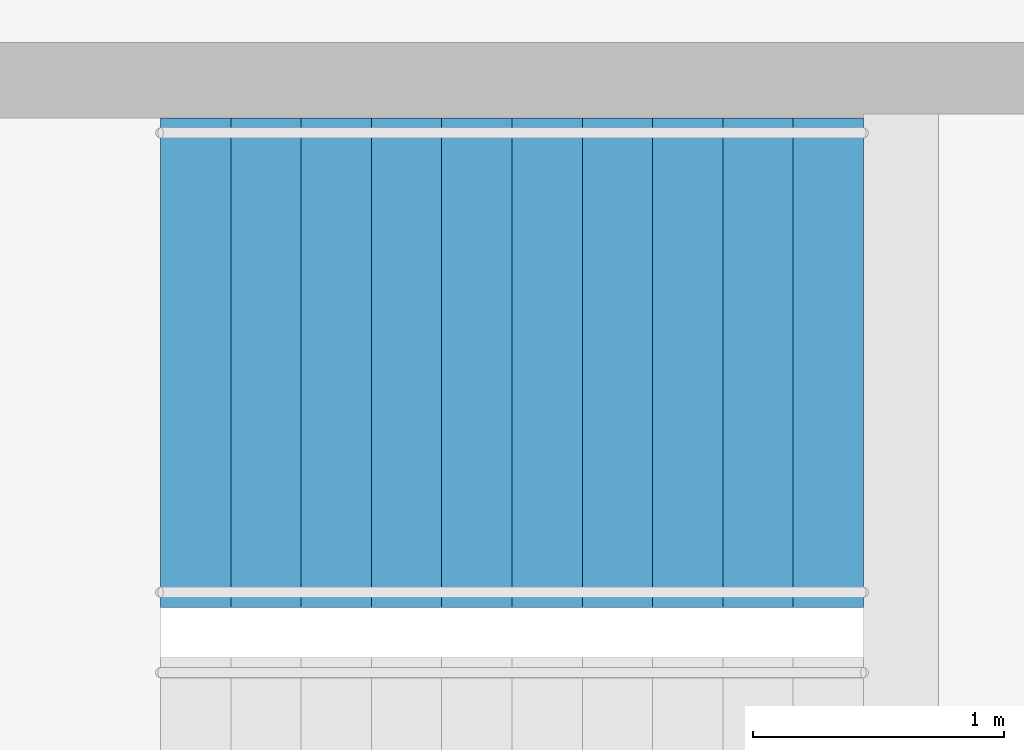
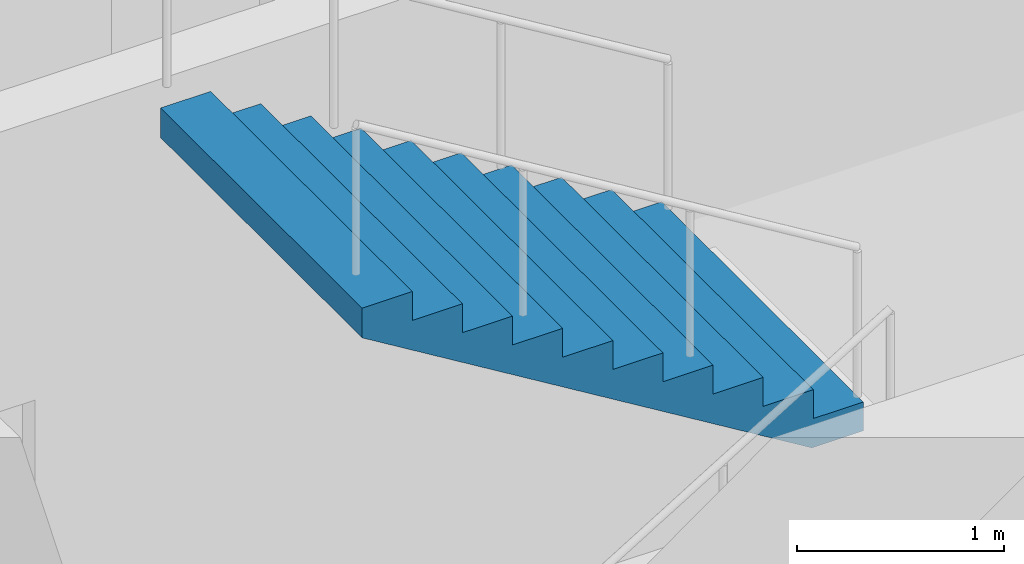
# One storey, part 23 of 28: 1 stair flight, 1 element without a shape of its own.
"""IFC4 building model written with IfcOpenShell, lengths in metres."""

from ifc_helpers import new_model, si_unit, direction, frame, origin, place, context, subcontext, project, spatial, triangles, material, type_object, element, aggregate, save


model = new_model("IFC4")

# Units and contexts
model_context = context("Model", 3, precision=1e-05, world=origin(), true_north=direction((0.0, 1.0)))
body_context = subcontext(model_context, "Body", "Model", "MODEL_VIEW")
ifc_project = project(units=[si_unit("LENGTHUNIT", "METRE"), si_unit("AREAUNIT", "SQUARE_METRE"), si_unit("VOLUMEUNIT", "CUBIC_METRE"), si_unit("PLANEANGLEUNIT", "RADIAN"), si_unit("MASSUNIT", "GRAM", prefix="KILO")], contexts=[model_context])

# Site, building, storey
site_placement = place(None, origin())
site = spatial("IfcSite", under=ifc_project, at=site_placement, CompositionType="ELEMENT")
building_placement = place(site_placement, origin())
building = spatial("IfcBuilding", under=site, at=building_placement, Name="Orbita Commons", CompositionType="ELEMENT")
storey_placement = place(building_placement, frame((0.0, 0.0, 216.550048828125)))
storey = spatial("IfcBuildingStorey", under=building, at=storey_placement, Name="L53", CompositionType="ELEMENT", Elevation=216.550048828125)

# Stair, stair flight
ifc_material_1 = material(Name="Precast concrete C40/50", Category="concrete")
stair_type = type_object("IfcStairType", Name="Exit stair S1 2 flights 11 risers 170", PredefinedType="HALF_TURN_STAIR", material=ifc_material_1)
stair_placement = place(storey_placement, origin())
stair = element("IfcStair", 1, at=stair_placement, inside=storey, type_object=stair_type, Name="Exit stair S1 L53", PredefinedType="HALF_TURN_STAIR")
ifc_material_2 = material(Name="Precast concrete C40/50", Category="concrete")
stair_flight_type = type_object("IfcStairFlightType", Name="Stair flight 11 risers 170 x 280", PredefinedType="STRAIGHT", material=ifc_material_2)
stair_flight_placement = place(storey_placement, frame((23.25, 29.27490234375, 1.875), z_axis=(0.0, 0.0, 1.0), x_axis=(-1.0, 0.0, 0.0)))
stair_flight = element("IfcStairFlight", 2, at=stair_flight_placement, type_object=stair_flight_type, Name="S1 flight 2", NumberOfRisers=11, NumberOfTreads=10, PredefinedType="STRAIGHT", RiserHeight=0.170454545, TreadLength=0.28, context=body_context, shape_type="Tessellation", body=[
    triangles([(0.0, 0.974976, 0.0), (0.0, 0.974976, 0.021307), (0.0, 0.81248, 0.021307), (0.0, 0.81248, 0.0), (0.0, 0.649984, 0.021307), (0.0, 0.649984, 0.0), (0.0, 0.487488, 0.021307), (0.0, 0.487488, 0.0), (0.0, 0.324992, 0.021307), (0.0, 0.324992, 0.0), (0.0, 0.162496, 0.021307), (0.0, 0.162496, 0.0), (0.0, 0.0, 0.021307), (0.0, 0.0, 0.0), (0.0, -0.162496, 0.021307), (0.0, -0.162496, 0.0), (0.0, -0.324992, 0.021307), (0.0, -0.324992, 0.0), (0.0, -0.487488, 0.021307), (0.0, -0.487488, 0.0), (0.0, -0.649984, 0.021307), (0.0, -0.649984, 0.0), (0.0, -0.81248, 0.021307), (0.0, -0.81248, 0.0), (0.0, -0.974976, 0.021307), (0.0, -0.974976, 0.0), (0.0, 0.974976, 0.042614), (0.0, 0.81248, 0.042614), (0.0, 0.649984, 0.042614), (0.0, 0.487488, 0.042614), (0.0, 0.324992, 0.042614), (0.0, 0.162496, 0.042614), (0.0, 0.0, 0.042614), (0.0, -0.162496, 0.042614), (0.0, -0.324992, 0.042614), (0.0, -0.487488, 0.042614), (0.0, -0.649984, 0.042614), (0.0, -0.81248, 0.042614), (0.0, -0.974976, 0.042614), (0.0, 0.974976, 0.06392), (0.0, 0.81248, 0.06392), (0.0, 0.649984, 0.06392), (0.0, 0.487488, 0.06392), (0.0, 0.324992, 0.06392), (0.0, 0.162496, 0.06392), (0.0, 0.0, 0.06392), (0.0, -0.162496, 0.06392), (0.0, -0.324992, 0.06392), (0.0, -0.487488, 0.06392), (0.0, -0.649984, 0.06392), (0.0, -0.81248, 0.06392), (0.0, -0.974976, 0.06392), (0.0, 0.974976, 0.085227), (0.0, 0.81248, 0.085227), (0.0, 0.649984, 0.085227), (0.0, 0.487488, 0.085227), (0.0, 0.324992, 0.085227), (0.0, 0.162496, 0.085227), (0.0, 0.0, 0.085227), (0.0, -0.162496, 0.085227), (0.0, -0.324992, 0.085227), (0.0, -0.487488, 0.085227), (0.0, -0.649984, 0.085227), (0.0, -0.81248, 0.085227), (0.0, -0.974976, 0.085227), (0.0, 0.974976, 0.106534), (0.0, 0.81248, 0.106534), (0.0, 0.649984, 0.106534), (0.0, 0.487488, 0.106534), (0.0, 0.324992, 0.106534), (0.0, 0.162496, 0.106534), (0.0, 0.0, 0.106534), (0.0, -0.162496, 0.106534), (0.0, -0.324992, 0.106534), (0.0, -0.487488, 0.106534), (0.0, -0.649984, 0.106534), (0.0, -0.81248, 0.106534), (0.0, -0.974976, 0.106534), (0.0, 0.974976, 0.127841), (0.0, 0.81248, 0.127841), (0.0, 0.649984, 0.127841), (0.0, 0.487488, 0.127841), (0.0, 0.324992, 0.127841), (0.0, 0.162496, 0.127841), (0.0, 0.0, 0.127841), (0.0, -0.162496, 0.127841), (0.0, -0.324992, 0.127841), (0.0, -0.487488, 0.127841), (0.0, -0.649984, 0.127841), (0.0, -0.81248, 0.127841), (0.0, -0.974976, 0.127841), (0.0, 0.974976, 0.149148), (0.0, 0.81248, 0.149148), (0.0, 0.649984, 0.149148), (0.0, 0.487488, 0.149148), (0.0, 0.324992, 0.149148), (0.0, 0.162496, 0.149148), (0.0, 0.0, 0.149148), (0.0, -0.162496, 0.149148), (0.0, -0.324992, 0.149148), (0.0, -0.487488, 0.149148), (0.0, -0.649984, 0.149148), (0.0, -0.81248, 0.149148), (0.0, -0.974976, 0.149148), (0.0, 0.974976, 0.170455), (0.0, 0.81248, 0.170455), (0.0, 0.649984, 0.170455), (0.0, 0.487488, 0.170455), (0.0, 0.324992, 0.170455), (0.0, 0.162496, 0.170455), (0.0, 0.0, 0.170455), (0.0, -0.162496, 0.170455), (0.0, -0.324992, 0.170455), (0.0, -0.487488, 0.170455), (0.0, -0.649984, 0.170455), (0.0, -0.81248, 0.170455), (0.0, -0.974976, 0.170455), (0.28, 0.974976, 0.170455), (0.28, 0.81248, 0.170455), (0.28, 0.649984, 0.170455), (0.28, 0.487488, 0.170455), (0.28, 0.324992, 0.170455), (0.28, 0.162496, 0.170455), (0.28, 0.0, 0.170455), (0.28, -0.162496, 0.170455), (0.28, -0.324992, 0.170455), (0.28, -0.487488, 0.170455), (0.28, -0.649984, 0.170455), (0.28, -0.81248, 0.170455), (0.28, -0.974976, 0.170455), (0.28, 0.974976, 0.340909), (0.28, 0.81248, 0.340909), (0.28, 0.649984, 0.340909), (0.28, 0.487488, 0.340909), (0.28, 0.324992, 0.340909), (0.28, 0.162496, 0.340909), (0.28, 0.0, 0.340909), (0.28, -0.162496, 0.340909), (0.28, -0.324992, 0.340909), (0.28, -0.487488, 0.340909), (0.28, -0.649984, 0.340909), (0.28, -0.81248, 0.340909), (0.28, -0.974976, 0.340909), (0.56, 0.974976, 0.340909), (0.56, 0.81248, 0.340909), (0.56, 0.649984, 0.340909), (0.56, 0.487488, 0.340909), (0.56, 0.324992, 0.340909), (0.56, 0.162496, 0.340909), (0.56, 0.0, 0.340909), (0.56, -0.162496, 0.340909), (0.56, -0.324992, 0.340909), (0.56, -0.487488, 0.340909), (0.56, -0.649984, 0.340909), (0.56, -0.81248, 0.340909), (0.56, -0.974976, 0.340909), (0.56, 0.974976, 0.511364), (0.56, 0.81248, 0.511364), (0.56, 0.649984, 0.511364), (0.56, 0.487488, 0.511364), (0.56, 0.324992, 0.511364), (0.56, 0.162496, 0.511364), (0.56, 0.0, 0.511364), (0.56, -0.162496, 0.511364), (0.56, -0.324992, 0.511364), (0.56, -0.487488, 0.511364), (0.56, -0.649984, 0.511364), (0.56, -0.81248, 0.511364), (0.56, -0.974976, 0.511364), (0.84, 0.974976, 0.511364), (0.84, 0.81248, 0.511364), (0.84, 0.649984, 0.511364), (0.84, 0.487488, 0.511364), (0.84, 0.324992, 0.511364), (0.84, 0.162496, 0.511364), (0.84, 0.0, 0.511364), (0.84, -0.162496, 0.511364), (0.84, -0.324992, 0.511364), (0.84, -0.487488, 0.511364), (0.84, -0.649984, 0.511364), (0.84, -0.81248, 0.511364), (0.84, -0.974976, 0.511364), (0.84, 0.974976, 0.681818), (0.84, 0.81248, 0.681818), (0.84, 0.649984, 0.681818), (0.84, 0.487488, 0.681818), (0.84, 0.324992, 0.681818), (0.84, 0.162496, 0.681818), (0.84, 0.0, 0.681818), (0.84, -0.162496, 0.681818), (0.84, -0.324992, 0.681818), (0.84, -0.487488, 0.681818), (0.84, -0.649984, 0.681818), (0.84, -0.81248, 0.681818), (0.84, -0.974976, 0.681818), (1.12, 0.974976, 0.681818), (1.12, 0.81248, 0.681818), (1.12, 0.649984, 0.681818), (1.12, 0.487488, 0.681818), (1.12, 0.324992, 0.681818), (1.12, 0.162496, 0.681818), (1.12, 0.0, 0.681818), (1.12, -0.162496, 0.681818), (1.12, -0.324992, 0.681818), (1.12, -0.487488, 0.681818), (1.12, -0.649984, 0.681818), (1.12, -0.81248, 0.681818), (1.12, -0.974976, 0.681818), (1.12, 0.974976, 0.852273), (1.12, 0.81248, 0.852273), (1.12, 0.649984, 0.852273), (1.12, 0.487488, 0.852273), (1.12, 0.324992, 0.852273), (1.12, 0.162496, 0.852273), (1.12, 0.0, 0.852273), (1.12, -0.162496, 0.852273), (1.12, -0.324992, 0.852273), (1.12, -0.487488, 0.852273), (1.12, -0.649984, 0.852273), (1.12, -0.81248, 0.852273), (1.12, -0.974976, 0.852273), (1.4, 0.974976, 0.852273), (1.4, 0.81248, 0.852273), (1.4, 0.649984, 0.852273), (1.4, 0.487488, 0.852273), (1.4, 0.324992, 0.852273), (1.4, 0.162496, 0.852273), (1.4, 0.0, 0.852273), (1.4, -0.162496, 0.852273), (1.4, -0.324992, 0.852273), (1.4, -0.487488, 0.852273), (1.4, -0.649984, 0.852273), (1.4, -0.81248, 0.852273), (1.4, -0.974976, 0.852273), (1.4, 0.974976, 1.022727), (1.4, 0.81248, 1.022727), (1.4, 0.649984, 1.022727), (1.4, 0.487488, 1.022727), (1.4, 0.324992, 1.022727), (1.4, 0.162496, 1.022727), (1.4, 0.0, 1.022727), (1.4, -0.162496, 1.022727), (1.4, -0.324992, 1.022727), (1.4, -0.487488, 1.022727), (1.4, -0.649984, 1.022727), (1.4, -0.81248, 1.022727), (1.4, -0.974976, 1.022727), (1.68, 0.974976, 1.022727), (1.68, 0.81248, 1.022727), (1.68, 0.649984, 1.022727), (1.68, 0.487488, 1.022727), (1.68, 0.324992, 1.022727), (1.68, 0.162496, 1.022727), (1.68, 0.0, 1.022727), (1.68, -0.162496, 1.022727), (1.68, -0.324992, 1.022727), (1.68, -0.487488, 1.022727), (1.68, -0.649984, 1.022727), (1.68, -0.81248, 1.022727), (1.68, -0.974976, 1.022727), (1.68, 0.974976, 1.193182), (1.68, 0.81248, 1.193182), (1.68, 0.649984, 1.193182), (1.68, 0.487488, 1.193182), (1.68, 0.324992, 1.193182), (1.68, 0.162496, 1.193182), (1.68, 0.0, 1.193182), (1.68, -0.162496, 1.193182), (1.68, -0.324992, 1.193182), (1.68, -0.487488, 1.193182), (1.68, -0.649984, 1.193182), (1.68, -0.81248, 1.193182), (1.68, -0.974976, 1.193182), (1.96, 0.974976, 1.193182), (1.96, 0.81248, 1.193182), (1.96, 0.649984, 1.193182), (1.96, 0.487488, 1.193182), (1.96, 0.324992, 1.193182), (1.96, 0.162496, 1.193182), (1.96, 0.0, 1.193182), (1.96, -0.162496, 1.193182), (1.96, -0.324992, 1.193182), (1.96, -0.487488, 1.193182), (1.96, -0.649984, 1.193182), (1.96, -0.81248, 1.193182), (1.96, -0.974976, 1.193182), (1.96, 0.974976, 1.363636), (1.96, 0.81248, 1.363636), (1.96, 0.649984, 1.363636), (1.96, 0.487488, 1.363636), (1.96, 0.324992, 1.363636), (1.96, 0.162496, 1.363636), (1.96, 0.0, 1.363636), (1.96, -0.162496, 1.363636), (1.96, -0.324992, 1.363636), (1.96, -0.487488, 1.363636), (1.96, -0.649984, 1.363636), (1.96, -0.81248, 1.363636), (1.96, -0.974976, 1.363636), (2.24, 0.974976, 1.363636), (2.24, 0.81248, 1.363636), (2.24, 0.649984, 1.363636), (2.24, 0.487488, 1.363636), (2.24, 0.324992, 1.363636), (2.24, 0.162496, 1.363636), (2.24, 0.0, 1.363636), (2.24, -0.162496, 1.363636), (2.24, -0.324992, 1.363636), (2.24, -0.487488, 1.363636), (2.24, -0.649984, 1.363636), (2.24, -0.81248, 1.363636), (2.24, -0.974976, 1.363636), (2.24, 0.974976, 1.534091), (2.24, 0.81248, 1.534091), (2.24, 0.649984, 1.534091), (2.24, 0.487488, 1.534091), (2.24, 0.324992, 1.534091), (2.24, 0.162496, 1.534091), (2.24, 0.0, 1.534091), (2.24, -0.162496, 1.534091), (2.24, -0.324992, 1.534091), (2.24, -0.487488, 1.534091), (2.24, -0.649984, 1.534091), (2.24, -0.81248, 1.534091), (2.24, -0.974976, 1.534091), (2.52, 0.974976, 1.534091), (2.52, 0.81248, 1.534091), (2.52, 0.649984, 1.534091), (2.52, 0.487488, 1.534091), (2.52, 0.324992, 1.534091), (2.52, 0.162496, 1.534091), (2.52, 0.0, 1.534091), (2.52, -0.162496, 1.534091), (2.52, -0.324992, 1.534091), (2.52, -0.487488, 1.534091), (2.52, -0.649984, 1.534091), (2.52, -0.81248, 1.534091), (2.52, -0.974976, 1.534091), (2.52, 0.974976, 1.704545), (2.52, 0.81248, 1.704545), (2.52, 0.649984, 1.704545), (2.52, 0.487488, 1.704545), (2.52, 0.324992, 1.704545), (2.52, 0.162496, 1.704545), (2.52, 0.0, 1.704545), (2.52, -0.162496, 1.704545), (2.52, -0.324992, 1.704545), (2.52, -0.487488, 1.704545), (2.52, -0.649984, 1.704545), (2.52, -0.81248, 1.704545), (2.52, -0.974976, 1.704545), (2.8, 0.974976, 1.704545), (2.8, 0.81248, 1.704545), (2.8, 0.649984, 1.704545), (2.8, 0.487488, 1.704545), (2.8, 0.324992, 1.704545), (2.8, 0.162496, 1.704545), (2.8, 0.0, 1.704545), (2.8, -0.162496, 1.704545), (2.8, -0.324992, 1.704545), (2.8, -0.487488, 1.704545), (2.8, -0.649984, 1.704545), (2.8, -0.81248, 1.704545), (2.8, -0.974976, 1.704545), (2.8, 0.974976, 1.682609), (2.8, 0.81248, 1.682609), (2.8, 0.649984, 1.682609), (2.8, 0.487488, 1.682609), (2.8, 0.324992, 1.682609), (2.8, 0.162496, 1.682609), (2.8, 0.0, 1.682609), (2.8, -0.162496, 1.682609), (2.8, -0.324992, 1.682609), (2.8, -0.487488, 1.682609), (2.8, -0.649984, 1.682609), (2.8, -0.81248, 1.682609), (2.8, -0.974976, 1.682609), (2.8, 0.974976, 1.660672), (2.8, 0.81248, 1.660672), (2.8, 0.649984, 1.660672), (2.8, 0.487488, 1.660672), (2.8, 0.324992, 1.660672), (2.8, 0.162496, 1.660672), (2.8, 0.0, 1.660672), (2.8, -0.162496, 1.660672), (2.8, -0.324992, 1.660672), (2.8, -0.487488, 1.660672), (2.8, -0.649984, 1.660672), (2.8, -0.81248, 1.660672), (2.8, -0.974976, 1.660672), (2.8, 0.974976, 1.638735), (2.8, 0.81248, 1.638735), (2.8, 0.649984, 1.638735), (2.8, 0.487488, 1.638735), (2.8, 0.324992, 1.638735), (2.8, 0.162496, 1.638735), (2.8, 0.0, 1.638735), (2.8, -0.162496, 1.638735), (2.8, -0.324992, 1.638735), (2.8, -0.487488, 1.638735), (2.8, -0.649984, 1.638735), (2.8, -0.81248, 1.638735), (2.8, -0.974976, 1.638735), (2.8, 0.974976, 1.616798), (2.8, 0.81248, 1.616798), (2.8, 0.649984, 1.616798), (2.8, 0.487488, 1.616798), (2.8, 0.324992, 1.616798), (2.8, 0.162496, 1.616798), (2.8, 0.0, 1.616798), (2.8, -0.162496, 1.616798), (2.8, -0.324992, 1.616798), (2.8, -0.487488, 1.616798), (2.8, -0.649984, 1.616798), (2.8, -0.81248, 1.616798), (2.8, -0.974976, 1.616798), (2.8, 0.974976, 1.594861), (2.8, 0.81248, 1.594861), (2.8, 0.649984, 1.594861), (2.8, 0.487488, 1.594861), (2.8, 0.324992, 1.594861), (2.8, 0.162496, 1.594861), (2.8, 0.0, 1.594861), (2.8, -0.162496, 1.594861), (2.8, -0.324992, 1.594861), (2.8, -0.487488, 1.594861), (2.8, -0.649984, 1.594861), (2.8, -0.81248, 1.594861), (2.8, -0.974976, 1.594861), (2.8, 0.974976, 1.572925), (2.8, 0.81248, 1.572925), (2.8, 0.649984, 1.572925), (2.8, 0.487488, 1.572925), (2.8, 0.324992, 1.572925), (2.8, 0.162496, 1.572925), (2.8, 0.0, 1.572925), (2.8, -0.162496, 1.572925), (2.8, -0.324992, 1.572925), (2.8, -0.487488, 1.572925), (2.8, -0.649984, 1.572925), (2.8, -0.81248, 1.572925), (2.8, -0.974976, 1.572925), (2.8, 0.974976, 1.550988), (2.8, 0.81248, 1.550988), (2.8, 0.649984, 1.550988), (2.8, 0.487488, 1.550988), (2.8, 0.324992, 1.550988), (2.8, 0.162496, 1.550988), (2.8, 0.0, 1.550988), (2.8, -0.162496, 1.550988), (2.8, -0.324992, 1.550988), (2.8, -0.487488, 1.550988), (2.8, -0.649984, 1.550988), (2.8, -0.81248, 1.550988), (2.8, -0.974976, 1.550988), (2.8, 0.974976, 1.529051), (2.8, 0.81248, 1.529051), (2.8, 0.649984, 1.529051), (2.8, 0.487488, 1.529051), (2.8, 0.324992, 1.529051), (2.8, 0.162496, 1.529051), (2.8, 0.0, 1.529051), (2.8, -0.162496, 1.529051), (2.8, -0.324992, 1.529051), (2.8, -0.487488, 1.529051), (2.8, -0.649984, 1.529051), (2.8, -0.81248, 1.529051), (2.8, -0.974976, 1.529051), (0.288279, 0.974976, 0.0), (0.288279, 0.81248, 0.0), (0.288279, 0.649984, 0.0), (0.288279, 0.487488, 0.0), (0.288279, 0.324992, 0.0), (0.288279, 0.162496, 0.0), (0.288279, 0.0, 0.0), (0.288279, -0.162496, 0.0), (0.288279, -0.324992, 0.0), (0.288279, -0.487488, 0.0), (0.288279, -0.649984, 0.0), (0.288279, -0.81248, 0.0), (0.288279, -0.974976, 0.0)], [[3, 2, 1], [4, 3, 1], [5, 3, 4], [6, 5, 4], [7, 5, 6], [8, 7, 6], [9, 7, 8], [10, 9, 8], [11, 9, 10], [12, 11, 10], [13, 11, 12], [14, 13, 12], [15, 13, 14], [16, 15, 14], [17, 15, 16], [18, 17, 16], [19, 17, 18], [20, 19, 18], [21, 19, 20], [22, 21, 20], [23, 21, 22], [24, 23, 22], [25, 23, 24], [26, 25, 24], [28, 27, 2], [3, 28, 2], [29, 28, 3], [5, 29, 3], [30, 29, 5], [7, 30, 5], [31, 30, 7], [9, 31, 7], [32, 31, 9], [11, 32, 9], [33, 32, 11], [13, 33, 11], [34, 33, 13], [15, 34, 13], [35, 34, 15], [17, 35, 15], [36, 35, 17], [19, 36, 17], [37, 36, 19], [21, 37, 19], [38, 37, 21], [23, 38, 21], [39, 38, 23], [25, 39, 23], [41, 40, 27], [28, 41, 27], [42, 41, 28], [29, 42, 28], [43, 42, 29], [30, 43, 29], [44, 43, 30], [31, 44, 30], [45, 44, 31], [32, 45, 31], [46, 45, 32], [33, 46, 32], [47, 46, 33], [34, 47, 33], [48, 47, 34], [35, 48, 34], [49, 48, 35], [36, 49, 35], [50, 49, 36], [37, 50, 36], [51, 50, 37], [38, 51, 37], [52, 51, 38], [39, 52, 38], [54, 53, 40], [41, 54, 40], [55, 54, 41], [42, 55, 41], [56, 55, 42], [43, 56, 42], [57, 56, 43], [44, 57, 43], [58, 57, 44], [45, 58, 44], [59, 58, 45], [46, 59, 45], [60, 59, 46], [47, 60, 46], [61, 60, 47], [48, 61, 47], [62, 61, 48], [49, 62, 48], [63, 62, 49], [50, 63, 49], [64, 63, 50], [51, 64, 50], [65, 64, 51], [52, 65, 51], [67, 66, 53], [54, 67, 53], [68, 67, 54], [55, 68, 54], [69, 68, 55], [56, 69, 55], [70, 69, 56], [57, 70, 56], [71, 70, 57], [58, 71, 57], [72, 71, 58], [59, 72, 58], [73, 72, 59], [60, 73, 59], [74, 73, 60], [61, 74, 60], [75, 74, 61], [62, 75, 61], [76, 75, 62], [63, 76, 62], [77, 76, 63], [64, 77, 63], [78, 77, 64], [65, 78, 64], [80, 79, 66], [67, 80, 66], [81, 80, 67], [68, 81, 67], [82, 81, 68], [69, 82, 68], [83, 82, 69], [70, 83, 69], [84, 83, 70], [71, 84, 70], [85, 84, 71], [72, 85, 71], [86, 85, 72], [73, 86, 72], [87, 86, 73], [74, 87, 73], [88, 87, 74], [75, 88, 74], [89, 88, 75], [76, 89, 75], [90, 89, 76], [77, 90, 76], [91, 90, 77], [78, 91, 77], [93, 92, 79], [80, 93, 79], [94, 93, 80], [81, 94, 80], [95, 94, 81], [82, 95, 81], [96, 95, 82], [83, 96, 82], [97, 96, 83], [84, 97, 83], [98, 97, 84], [85, 98, 84], [99, 98, 85], [86, 99, 85], [100, 99, 86], [87, 100, 86], [101, 100, 87], [88, 101, 87], [102, 101, 88], [89, 102, 88], [103, 102, 89], [90, 103, 89], [104, 103, 90], [91, 104, 90], [106, 105, 92], [93, 106, 92], [107, 106, 93], [94, 107, 93], [108, 107, 94], [95, 108, 94], [109, 108, 95], [96, 109, 95], [110, 109, 96], [97, 110, 96], [111, 110, 97], [98, 111, 97], [112, 111, 98], [99, 112, 98], [113, 112, 99], [100, 113, 99], [114, 113, 100], [101, 114, 100], [115, 114, 101], [102, 115, 101], [116, 115, 102], [103, 116, 102], [117, 116, 103], [104, 117, 103], [119, 118, 105], [106, 119, 105], [120, 119, 106], [107, 120, 106], [121, 120, 107], [108, 121, 107], [122, 121, 108], [109, 122, 108], [123, 122, 109], [110, 123, 109], [124, 123, 110], [111, 124, 110], [125, 124, 111], [112, 125, 111], [126, 125, 112], [113, 126, 112], [127, 126, 113], [114, 127, 113], [128, 127, 114], [115, 128, 114], [129, 128, 115], [116, 129, 115], [130, 129, 116], [117, 130, 116], [132, 131, 118], [119, 132, 118], [133, 132, 119], [120, 133, 119], [134, 133, 120], [121, 134, 120], [135, 134, 121], [122, 135, 121], [136, 135, 122], [123, 136, 122], [137, 136, 123], [124, 137, 123], [138, 137, 124], [125, 138, 124], [139, 138, 125], [126, 139, 125], [140, 139, 126], [127, 140, 126], [141, 140, 127], [128, 141, 127], [142, 141, 128], [129, 142, 128], [143, 142, 129], [130, 143, 129], [145, 144, 131], [132, 145, 131], [146, 145, 132], [133, 146, 132], [147, 146, 133], [134, 147, 133], [148, 147, 134], [135, 148, 134], [149, 148, 135], [136, 149, 135], [150, 149, 136], [137, 150, 136], [151, 150, 137], [138, 151, 137], [152, 151, 138], [139, 152, 138], [153, 152, 139], [140, 153, 139], [154, 153, 140], [141, 154, 140], [155, 154, 141], [142, 155, 141], [156, 155, 142], [143, 156, 142], [158, 157, 144], [145, 158, 144], [159, 158, 145], [146, 159, 145], [160, 159, 146], [147, 160, 146], [161, 160, 147], [148, 161, 147], [162, 161, 148], [149, 162, 148], [163, 162, 149], [150, 163, 149], [164, 163, 150], [151, 164, 150], [165, 164, 151], [152, 165, 151], [166, 165, 152], [153, 166, 152], [167, 166, 153], [154, 167, 153], [168, 167, 154], [155, 168, 154], [169, 168, 155], [156, 169, 155], [171, 170, 157], [158, 171, 157], [172, 171, 158], [159, 172, 158], [173, 172, 159], [160, 173, 159], [174, 173, 160], [161, 174, 160], [175, 174, 161], [162, 175, 161], [176, 175, 162], [163, 176, 162], [177, 176, 163], [164, 177, 163], [178, 177, 164], [165, 178, 164], [179, 178, 165], [166, 179, 165], [180, 179, 166], [167, 180, 166], [181, 180, 167], [168, 181, 167], [182, 181, 168], [169, 182, 168], [184, 183, 170], [171, 184, 170], [185, 184, 171], [172, 185, 171], [186, 185, 172], [173, 186, 172], [187, 186, 173], [174, 187, 173], [188, 187, 174], [175, 188, 174], [189, 188, 175], [176, 189, 175], [190, 189, 176], [177, 190, 176], [191, 190, 177], [178, 191, 177], [192, 191, 178], [179, 192, 178], [193, 192, 179], [180, 193, 179], [194, 193, 180], [181, 194, 180], [195, 194, 181], [182, 195, 181], [197, 196, 183], [184, 197, 183], [198, 197, 184], [185, 198, 184], [199, 198, 185], [186, 199, 185], [200, 199, 186], [187, 200, 186], [201, 200, 187], [188, 201, 187], [202, 201, 188], [189, 202, 188], [203, 202, 189], [190, 203, 189], [204, 203, 190], [191, 204, 190], [205, 204, 191], [192, 205, 191], [206, 205, 192], [193, 206, 192], [207, 206, 193], [194, 207, 193], [208, 207, 194], [195, 208, 194], [210, 209, 196], [197, 210, 196], [211, 210, 197], [198, 211, 197], [212, 211, 198], [199, 212, 198], [213, 212, 199], [200, 213, 199], [214, 213, 200], [201, 214, 200], [215, 214, 201], [202, 215, 201], [216, 215, 202], [203, 216, 202], [217, 216, 203], [204, 217, 203], [218, 217, 204], [205, 218, 204], [219, 218, 205], [206, 219, 205], [220, 219, 206], [207, 220, 206], [221, 220, 207], [208, 221, 207], [223, 222, 209], [210, 223, 209], [224, 223, 210], [211, 224, 210], [225, 224, 211], [212, 225, 211], [226, 225, 212], [213, 226, 212], [227, 226, 213], [214, 227, 213], [228, 227, 214], [215, 228, 214], [229, 228, 215], [216, 229, 215], [230, 229, 216], [217, 230, 216], [231, 230, 217], [218, 231, 217], [232, 231, 218], [219, 232, 218], [233, 232, 219], [220, 233, 219], [234, 233, 220], [221, 234, 220], [236, 235, 222], [223, 236, 222], [237, 236, 223], [224, 237, 223], [238, 237, 224], [225, 238, 224], [239, 238, 225], [226, 239, 225], [240, 239, 226], [227, 240, 226], [241, 240, 227], [228, 241, 227], [242, 241, 228], [229, 242, 228], [243, 242, 229], [230, 243, 229], [244, 243, 230], [231, 244, 230], [245, 244, 231], [232, 245, 231], [246, 245, 232], [233, 246, 232], [247, 246, 233], [234, 247, 233], [249, 248, 235], [236, 249, 235], [250, 249, 236], [237, 250, 236], [251, 250, 237], [238, 251, 237], [252, 251, 238], [239, 252, 238], [253, 252, 239], [240, 253, 239], [254, 253, 240], [241, 254, 240], [255, 254, 241], [242, 255, 241], [256, 255, 242], [243, 256, 242], [257, 256, 243], [244, 257, 243], [258, 257, 244], [245, 258, 244], [259, 258, 245], [246, 259, 245], [260, 259, 246], [247, 260, 246], [262, 261, 248], [249, 262, 248], [263, 262, 249], [250, 263, 249], [264, 263, 250], [251, 264, 250], [265, 264, 251], [252, 265, 251], [266, 265, 252], [253, 266, 252], [267, 266, 253], [254, 267, 253], [268, 267, 254], [255, 268, 254], [269, 268, 255], [256, 269, 255], [270, 269, 256], [257, 270, 256], [271, 270, 257], [258, 271, 257], [272, 271, 258], [259, 272, 258], [273, 272, 259], [260, 273, 259], [275, 274, 261], [262, 275, 261], [276, 275, 262], [263, 276, 262], [277, 276, 263], [264, 277, 263], [278, 277, 264], [265, 278, 264], [279, 278, 265], [266, 279, 265], [280, 279, 266], [267, 280, 266], [281, 280, 267], [268, 281, 267], [282, 281, 268], [269, 282, 268], [283, 282, 269], [270, 283, 269], [284, 283, 270], [271, 284, 270], [285, 284, 271], [272, 285, 271], [286, 285, 272], [273, 286, 272], [288, 287, 274], [275, 288, 274], [289, 288, 275], [276, 289, 275], [290, 289, 276], [277, 290, 276], [291, 290, 277], [278, 291, 277], [292, 291, 278], [279, 292, 278], [293, 292, 279], [280, 293, 279], [294, 293, 280], [281, 294, 280], [295, 294, 281], [282, 295, 281], [296, 295, 282], [283, 296, 282], [297, 296, 283], [284, 297, 283], [298, 297, 284], [285, 298, 284], [299, 298, 285], [286, 299, 285], [301, 300, 287], [288, 301, 287], [302, 301, 288], [289, 302, 288], [303, 302, 289], [290, 303, 289], [304, 303, 290], [291, 304, 290], [305, 304, 291], [292, 305, 291], [306, 305, 292], [293, 306, 292], [307, 306, 293], [294, 307, 293], [308, 307, 294], [295, 308, 294], [309, 308, 295], [296, 309, 295], [310, 309, 296], [297, 310, 296], [311, 310, 297], [298, 311, 297], [312, 311, 298], [299, 312, 298], [314, 313, 300], [301, 314, 300], [315, 314, 301], [302, 315, 301], [316, 315, 302], [303, 316, 302], [317, 316, 303], [304, 317, 303], [318, 317, 304], [305, 318, 304], [319, 318, 305], [306, 319, 305], [320, 319, 306], [307, 320, 306], [321, 320, 307], [308, 321, 307], [322, 321, 308], [309, 322, 308], [323, 322, 309], [310, 323, 309], [324, 323, 310], [311, 324, 310], [325, 324, 311], [312, 325, 311], [327, 326, 313], [314, 327, 313], [328, 327, 314], [315, 328, 314], [329, 328, 315], [316, 329, 315], [330, 329, 316], [317, 330, 316], [331, 330, 317], [318, 331, 317], [332, 331, 318], [319, 332, 318], [333, 332, 319], [320, 333, 319], [334, 333, 320], [321, 334, 320], [335, 334, 321], [322, 335, 321], [336, 335, 322], [323, 336, 322], [337, 336, 323], [324, 337, 323], [338, 337, 324], [325, 338, 324], [340, 339, 326], [327, 340, 326], [341, 340, 327], [328, 341, 327], [342, 341, 328], [329, 342, 328], [343, 342, 329], [330, 343, 329], [344, 343, 330], [331, 344, 330], [345, 344, 331], [332, 345, 331], [346, 345, 332], [333, 346, 332], [347, 346, 333], [334, 347, 333], [348, 347, 334], [335, 348, 334], [349, 348, 335], [336, 349, 335], [350, 349, 336], [337, 350, 336], [351, 350, 337], [338, 351, 337], [353, 352, 339], [340, 353, 339], [354, 353, 340], [341, 354, 340], [355, 354, 341], [342, 355, 341], [356, 355, 342], [343, 356, 342], [357, 356, 343], [344, 357, 343], [358, 357, 344], [345, 358, 344], [359, 358, 345], [346, 359, 345], [360, 359, 346], [347, 360, 346], [361, 360, 347], [348, 361, 347], [362, 361, 348], [349, 362, 348], [363, 362, 349], [350, 363, 349], [364, 363, 350], [351, 364, 350], [366, 365, 352], [353, 366, 352], [367, 366, 353], [354, 367, 353], [368, 367, 354], [355, 368, 354], [369, 368, 355], [356, 369, 355], [370, 369, 356], [357, 370, 356], [371, 370, 357], [358, 371, 357], [372, 371, 358], [359, 372, 358], [373, 372, 359], [360, 373, 359], [374, 373, 360], [361, 374, 360], [375, 374, 361], [362, 375, 361], [376, 375, 362], [363, 376, 362], [377, 376, 363], [364, 377, 363], [379, 378, 365], [366, 379, 365], [380, 379, 366], [367, 380, 366], [381, 380, 367], [368, 381, 367], [382, 381, 368], [369, 382, 368], [383, 382, 369], [370, 383, 369], [384, 383, 370], [371, 384, 370], [385, 384, 371], [372, 385, 371], [386, 385, 372], [373, 386, 372], [387, 386, 373], [374, 387, 373], [388, 387, 374], [375, 388, 374], [389, 388, 375], [376, 389, 375], [390, 389, 376], [377, 390, 376], [392, 391, 378], [379, 392, 378], [393, 392, 379], [380, 393, 379], [394, 393, 380], [381, 394, 380], [395, 394, 381], [382, 395, 381], [396, 395, 382], [383, 396, 382], [397, 396, 383], [384, 397, 383], [398, 397, 384], [385, 398, 384], [399, 398, 385], [386, 399, 385], [400, 399, 386], [387, 400, 386], [401, 400, 387], [388, 401, 387], [402, 401, 388], [389, 402, 388], [403, 402, 389], [390, 403, 389], [405, 404, 391], [392, 405, 391], [406, 405, 392], [393, 406, 392], [407, 406, 393], [394, 407, 393], [408, 407, 394], [395, 408, 394], [409, 408, 395], [396, 409, 395], [410, 409, 396], [397, 410, 396], [411, 410, 397], [398, 411, 397], [412, 411, 398], [399, 412, 398], [413, 412, 399], [400, 413, 399], [414, 413, 400], [401, 414, 400], [415, 414, 401], [402, 415, 401], [416, 415, 402], [403, 416, 402], [418, 417, 404], [405, 418, 404], [419, 418, 405], [406, 419, 405], [420, 419, 406], [407, 420, 406], [421, 420, 407], [408, 421, 407], [422, 421, 408], [409, 422, 408], [423, 422, 409], [410, 423, 409], [424, 423, 410], [411, 424, 410], [425, 424, 411], [412, 425, 411], [426, 425, 412], [413, 426, 412], [427, 426, 413], [414, 427, 413], [428, 427, 414], [415, 428, 414], [429, 428, 415], [416, 429, 415], [431, 430, 417], [418, 431, 417], [432, 431, 418], [419, 432, 418], [433, 432, 419], [420, 433, 419], [434, 433, 420], [421, 434, 420], [435, 434, 421], [422, 435, 421], [436, 435, 422], [423, 436, 422], [437, 436, 423], [424, 437, 423], [438, 437, 424], [425, 438, 424], [439, 438, 425], [426, 439, 425], [440, 439, 426], [427, 440, 426], [441, 440, 427], [428, 441, 427], [442, 441, 428], [429, 442, 428], [444, 443, 430], [431, 444, 430], [445, 444, 431], [432, 445, 431], [446, 445, 432], [433, 446, 432], [447, 446, 433], [434, 447, 433], [448, 447, 434], [435, 448, 434], [449, 448, 435], [436, 449, 435], [450, 449, 436], [437, 450, 436], [451, 450, 437], [438, 451, 437], [452, 451, 438], [439, 452, 438], [453, 452, 439], [440, 453, 439], [454, 453, 440], [441, 454, 440], [455, 454, 441], [442, 455, 441], [457, 456, 443], [444, 457, 443], [458, 457, 444], [445, 458, 444], [459, 458, 445], [446, 459, 445], [460, 459, 446], [447, 460, 446], [461, 460, 447], [448, 461, 447], [462, 461, 448], [449, 462, 448], [463, 462, 449], [450, 463, 449], [464, 463, 450], [451, 464, 450], [465, 464, 451], [452, 465, 451], [466, 465, 452], [453, 466, 452], [467, 466, 453], [454, 467, 453], [468, 467, 454], [455, 468, 454], [470, 469, 456], [457, 470, 456], [471, 470, 457], [458, 471, 457], [472, 471, 458], [459, 472, 458], [473, 472, 459], [460, 473, 459], [474, 473, 460], [461, 474, 460], [475, 474, 461], [462, 475, 461], [476, 475, 462], [463, 476, 462], [477, 476, 463], [464, 477, 463], [478, 477, 464], [465, 478, 464], [479, 478, 465], [466, 479, 465], [480, 479, 466], [467, 480, 466], [481, 480, 467], [468, 481, 467], [4, 1, 469], [470, 4, 469], [6, 4, 470], [471, 6, 470], [8, 6, 471], [472, 8, 471], [10, 8, 472], [473, 10, 472], [12, 10, 473], [474, 12, 473], [14, 12, 474], [475, 14, 474], [16, 14, 475], [476, 16, 475], [18, 16, 476], [477, 18, 476], [20, 18, 477], [478, 20, 477], [22, 20, 478], [479, 22, 478], [24, 22, 479], [480, 24, 479], [26, 24, 480], [481, 26, 480], [456, 469, 1], [26, 481, 468], [443, 456, 1], [26, 468, 455], [430, 443, 1], [26, 455, 442], [417, 430, 1], [26, 442, 429], [404, 417, 1], [26, 429, 416], [391, 404, 1], [26, 416, 403], [378, 391, 1], [26, 403, 390], [365, 378, 1], [26, 390, 377], [339, 352, 365], [377, 364, 351], [326, 339, 365], [377, 351, 338], [300, 313, 326], [338, 325, 312], [300, 326, 365], [377, 338, 312], [274, 287, 300], [312, 299, 286], [274, 300, 365], [377, 312, 286], [248, 261, 274], [286, 273, 260], [248, 274, 365], [377, 286, 260], [222, 235, 248], [260, 247, 234], [222, 248, 365], [377, 260, 234], [196, 209, 222], [234, 221, 208], [196, 222, 365], [377, 234, 208], [170, 183, 196], [208, 195, 182], [170, 196, 365], [377, 208, 182], [144, 157, 170], [182, 169, 156], [144, 170, 365], [377, 182, 156], [118, 131, 144], [156, 143, 130], [118, 144, 365], [377, 156, 130], [118, 365, 1], [26, 377, 130], [92, 105, 118], [130, 117, 104], [79, 92, 118], [130, 104, 91], [66, 79, 118], [130, 91, 78], [53, 66, 118], [130, 78, 65], [40, 53, 118], [130, 65, 52], [27, 40, 118], [130, 52, 39], [2, 27, 118], [130, 39, 25], [1, 2, 118], [130, 25, 26]], closed=True),
])
aggregate(stair, [stair_flight])

save(model, "model.ifc")
